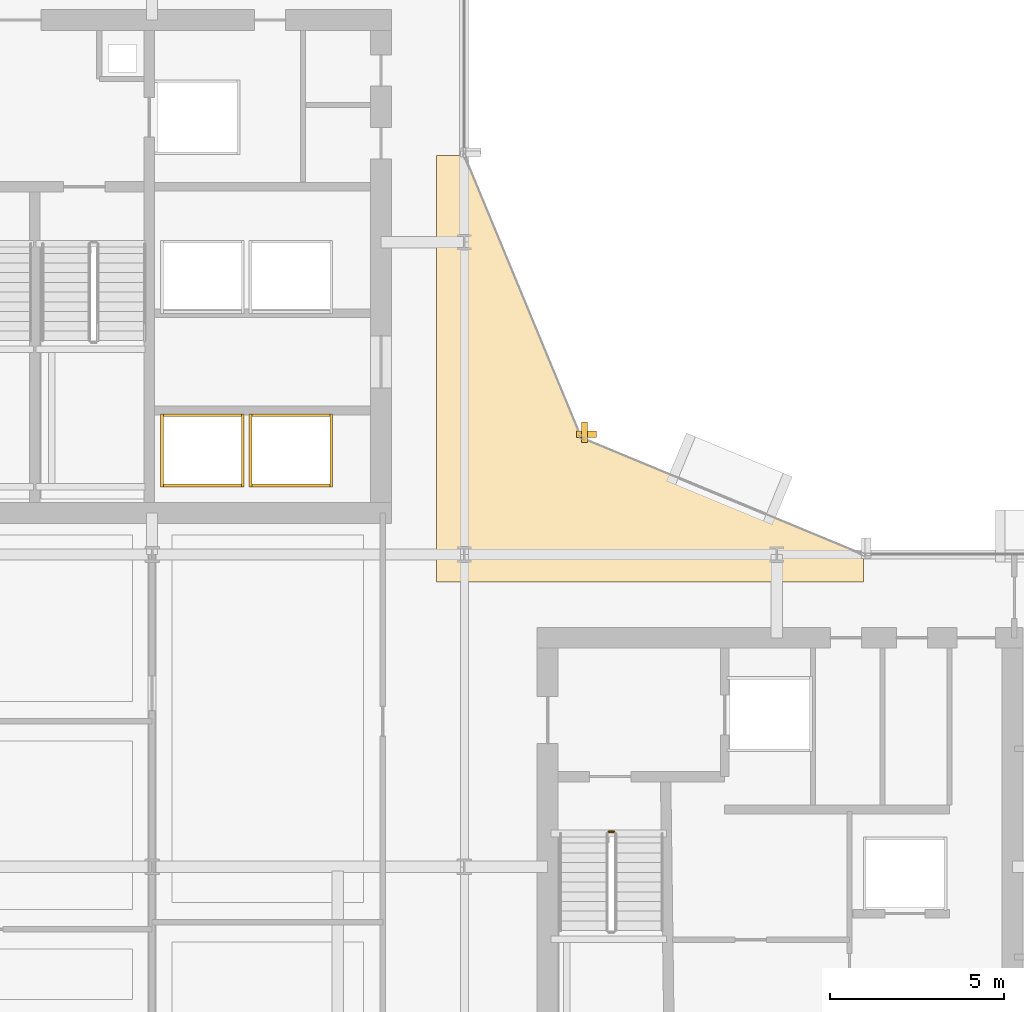
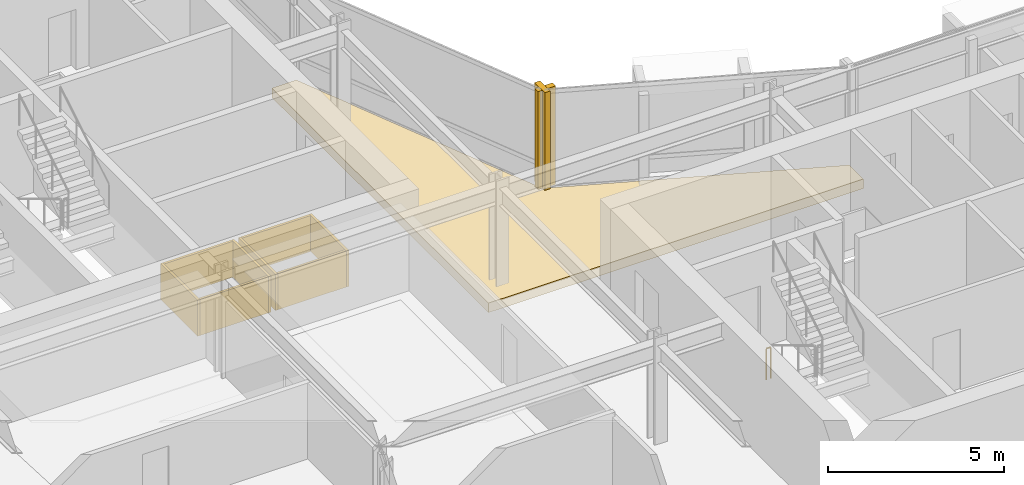
# One storey, part 27 of 29: 11 coverings, 1 railing.
"""IFC4 building model written with IfcOpenShell, lengths in metres."""

from ifc_helpers import new_model, si_unit, direction, frame, origin, origin_2d, place, context, subcontext, project, spatial, polyline, rectangle, circle, outline, extrude, material, layer, layer_set, type_object, element, save


model = new_model("IFC4")

# Units and contexts
model_context = context("Model", 3, precision=1e-05, world=origin(), true_north=direction((0.0, 1.0)))
body_context = subcontext(model_context, "Body", "Model", "MODEL_VIEW")
ifc_project = project(units=[si_unit("LENGTHUNIT", "METRE"), si_unit("AREAUNIT", "SQUARE_METRE"), si_unit("VOLUMEUNIT", "CUBIC_METRE"), si_unit("PLANEANGLEUNIT", "RADIAN"), si_unit("MASSUNIT", "GRAM", prefix="KILO")], contexts=[model_context])

# Site, building, storey
site_placement = place(None, origin())
site = spatial("IfcSite", under=ifc_project, at=site_placement, CompositionType="ELEMENT")
building_placement = place(site_placement, origin())
building = spatial("IfcBuilding", under=site, at=building_placement, Name="Solvaryn Broadcast Tower", CompositionType="ELEMENT")
storey_placement = place(building_placement, frame((0.0, 0.0, 113.699951171875)))
storey = spatial("IfcBuildingStorey", under=building, at=storey_placement, Name="L27", CompositionType="ELEMENT", Elevation=113.699951171875)

# Coverings
ifc_material_1 = material(Name="Fire-Rated Gypsum Shaftwall Liner", Category="concrete")
ifc_layer_1 = layer(ifc_material_1, 0.080078125)
ifc_layer_set_1 = layer_set([ifc_layer_1], Name="CV-SHAFT-LINER")
covering_type_1 = type_object("IfcCoveringType", Name="CV-SHAFT-LINER", PredefinedType="CLADDING", material=ifc_layer_set_1)
for number, where, z_axis, x_axis, name in (
    (1, (19.449951171875, 31.014892578125, 0.0), (0.0, 0.0, 1.0), (1.0, 0.0, 0.0), "L27 PH1 Hoistway Shaft Liner North"),
    (2, (19.449951171875, 28.985107421875, 0.0), (0.0, 0.0, 1.0), (1.0, 0.0, 0.0), "L27 PH1 Hoistway Shaft Liner South"),
):
    element("IfcCovering", number, at=place(storey_placement, frame(where, z_axis=z_axis, x_axis=x_axis)), inside=storey, type_object=covering_type_1, Name=name, PredefinedType="CLADDING", context=body_context, shape_type="SweptSolid", body=[
        extrude(rectangle(XDim=2.409912109375, YDim=0.080078125, at=origin_2d()), origin(), (0.0, 0.0, 1.0), 1.25),
    ])
for number, where, z_axis, x_axis, name in (
    (3, (20.614990234375, 30.0, 0.0), (0.0, 0.0, 1.0), (1.0, 0.0, 0.0), "L27 PH1 Hoistway Shaft Liner East"),
    (4, (18.284912109375, 30.0, 0.0), (0.0, 0.0, 1.0), (1.0, 0.0, 0.0), "L27 PH1 Hoistway Shaft Liner West"),
):
    element("IfcCovering", number, at=place(storey_placement, frame(where, z_axis=z_axis, x_axis=x_axis)), inside=storey, type_object=covering_type_1, Name=name, PredefinedType="CLADDING", context=body_context, shape_type="SweptSolid", body=[
        extrude(rectangle(XDim=0.080078125, YDim=2.110107421875, at=origin_2d()), origin(), (0.0, 0.0, 1.0), 1.25),
    ])
for number, where, z_axis, x_axis, name in (
    (5, (22.0, 31.014892578125, 0.0), (0.0, 0.0, 1.0), (1.0, 0.0, 0.0), "L27 PH2 Hoistway Shaft Liner North"),
    (6, (22.0, 28.985107421875, 0.0), (0.0, 0.0, 1.0), (1.0, 0.0, 0.0), "L27 PH2 Hoistway Shaft Liner South"),
):
    element("IfcCovering", number, at=place(storey_placement, frame(where, z_axis=z_axis, x_axis=x_axis)), inside=storey, type_object=covering_type_1, Name=name, PredefinedType="CLADDING", context=body_context, shape_type="SweptSolid", body=[
        extrude(rectangle(XDim=2.409912109375, YDim=0.080078125, at=origin_2d()), origin(), (0.0, 0.0, 1.0), 1.25),
    ])
for number, where, z_axis, x_axis, name in (
    (7, (23.1650390625, 30.0, 0.0), (0.0, 0.0, 1.0), (1.0, 0.0, 0.0), "L27 PH2 Hoistway Shaft Liner East"),
    (8, (20.8349609375, 30.0, 0.0), (0.0, 0.0, 1.0), (1.0, 0.0, 0.0), "L27 PH2 Hoistway Shaft Liner West"),
):
    element("IfcCovering", number, at=place(storey_placement, frame(where, z_axis=z_axis, x_axis=x_axis)), inside=storey, type_object=covering_type_1, Name=name, PredefinedType="CLADDING", context=body_context, shape_type="SweptSolid", body=[
        extrude(rectangle(XDim=0.080078125, YDim=2.110107421875, at=origin_2d()), origin(), (0.0, 0.0, 1.0), 1.25),
    ])
ifc_material_2 = material(Name="Extruded Architectural Terracotta Fin", Category="masonry")
ifc_layer_2 = layer(ifc_material_2, 0.179931640625)
ifc_layer_set_2 = layer_set([ifc_layer_2], Name="CV-TC-FIN")
covering_type_2 = type_object("IfcCoveringType", Name="CV-TC-FIN", PredefinedType="USERDEFINED", material=ifc_layer_set_2)
covering_1_placement = place(storey_placement, frame((30.464599609375, 30.52294921875, 0.0), z_axis=(0.0, 0.0, 1.0), x_axis=(1.0, 0.0, 0.0)))
element("IfcCovering", 9, at=covering_1_placement, inside=storey, type_object=covering_type_2, Name="L27 Terracotta Vertical Fin FIN-L27-CN1-M01", ObjectType="FIN", PredefinedType="USERDEFINED", context=body_context, shape_type="SweptSolid", body=[
    extrude(rectangle(XDim=0.179931640625, YDim=0.580078125, at=origin_2d()), origin(), (0.0, 0.0, 1.0), 3.419921875),
])
covering_2_placement = place(storey_placement, frame((30.52294921875, 30.464599609375, 0.0), z_axis=(0.0, 0.0, 1.0), x_axis=(1.0, 0.0, 0.0)))
element("IfcCovering", 10, at=covering_2_placement, inside=storey, type_object=covering_type_2, Name="L27 Terracotta Vertical Fin FIN-L27-CN2-M00", ObjectType="FIN", PredefinedType="USERDEFINED", context=body_context, shape_type="SweptSolid", body=[
    extrude(rectangle(XDim=0.580078125, YDim=0.179931640625, at=origin_2d()), origin(), (0.0, 0.0, 1.0), 3.419921875),
])
ifc_material_3 = material(Name="Sculpted Architectural Terracotta Wave Fascia", Category="masonry")
ifc_layer_3 = layer(ifc_material_3, 0.340087890625)
ifc_layer_set_3 = layer_set([ifc_layer_3], Name="CV-WAVE-TRAY")
covering_type_3 = type_object("IfcCoveringType", Name="CV-WAVE-TRAY", PredefinedType="CLADDING", material=ifc_layer_set_3)
covering_3_placement = place(storey_placement, frame((0.0, 0.0, -0.300048828125)))
element("IfcCovering", 11, at=covering_3_placement, inside=storey, type_object=covering_type_3, Name="L27 Concave Canyon Floor Apron", PredefinedType="CLADDING", context=body_context, shape_type="SweptSolid", body=[
    extrude(outline(polyline([(26.199951171875, 26.199951171875), (38.5, 26.199951171875), (38.5, 27.0), (30.367919921875, 30.367919921875), (27.0, 38.5), (26.199951171875, 38.5), (26.199951171875, 26.199951171875)])), origin(), (0.0, 0.0, 1.0), 0.330078125),
])

# Railing
ifc_material_4 = material(Name="Painted Steel Stair Well Guard", Category="steel")
railing_type = type_object("IfcRailingType", Name="RL-STAIR-GUARD", PredefinedType="BALUSTRADE", material=ifc_material_4)
railing_placement = place(storey_placement, frame((31.159912109375, 19.010009765625, 0.0)))
element("IfcRailing", 12, at=railing_placement, inside=storey, type_object=railing_type, Name="L27 ST3 stair guard 4", PredefinedType="BALUSTRADE", context=body_context, shape_type="SweptSolid", body=[
    extrude(circle(Radius=0.02392578125, at=origin_2d()), frame((0.0, 0.0, 1.076171875), z_axis=(1.0, 0.0, 0.0), x_axis=(0.0, 1.0, 0.0)), (0.0, 0.0, 1.0), 0.150146484375),
    extrude(circle(Radius=0.02099609375, at=origin_2d()), origin(), (0.0, 0.0, 1.0), 1.052001953125),
    extrude(circle(Radius=0.02099609375, at=origin_2d()), frame((0.150146484375, 0.0, 0.0)), (0.0, 0.0, 1.0), 1.052001953125),
])

save(model, "model.ifc")
